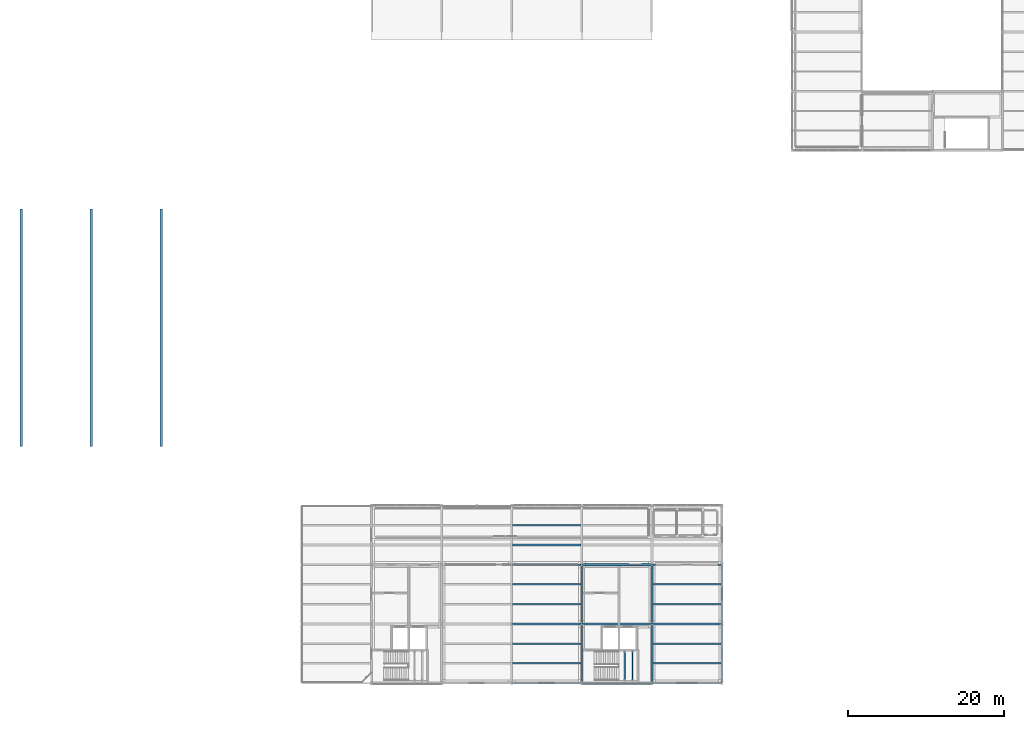
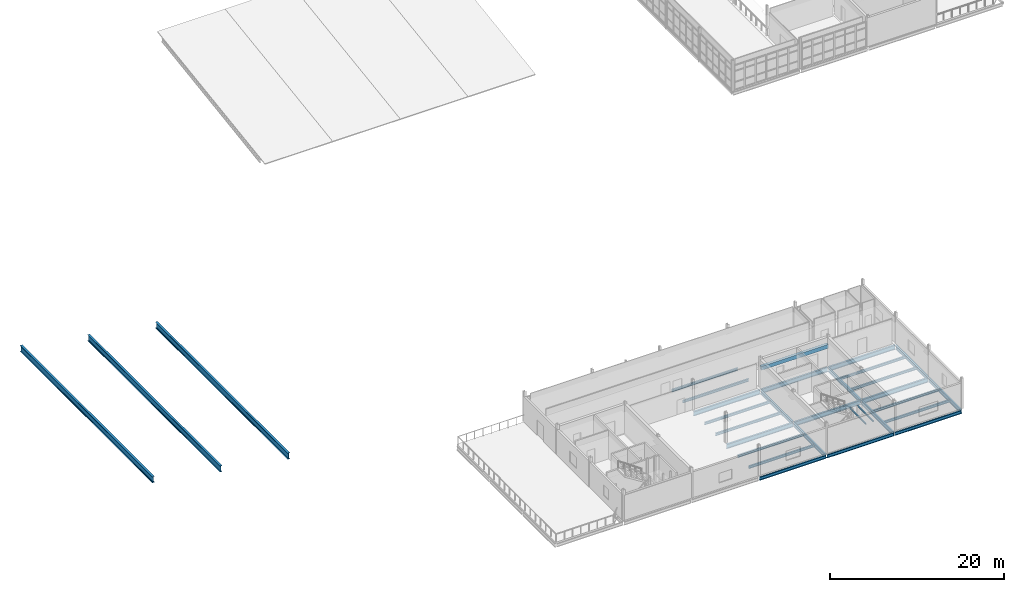
# One storey, part 9 of 48: 31 beams.
"""IFC4 building model written with IfcOpenShell, lengths in metres."""

from ifc_helpers import new_model, si_unit, direction, frame, origin, origin_2d, place, context, subcontext, project, spatial, rectangle, i_section, extrude, material, material_profile, profile_set, type_object, element, save


model = new_model("IFC4")

# Units and contexts
model_context = context("Model", 3, precision=1e-05, world=origin(), true_north=direction((0.0, 1.0)))
body_context = subcontext(model_context, "Body", "Model", "MODEL_VIEW")
ifc_project = project(units=[si_unit("LENGTHUNIT", "METRE"), si_unit("AREAUNIT", "SQUARE_METRE"), si_unit("VOLUMEUNIT", "CUBIC_METRE"), si_unit("PLANEANGLEUNIT", "RADIAN"), si_unit("MASSUNIT", "GRAM", prefix="KILO")], contexts=[model_context])

# Site, building, storey
site_placement = place(None, origin())
site = spatial("IfcSite", under=ifc_project, at=site_placement, CompositionType="ELEMENT")
building_placement = place(site_placement, origin())
building = spatial("IfcBuilding", under=site, at=building_placement, Name="Caisbarro Railhouse Central Library", CompositionType="ELEMENT")
storey_placement = place(building_placement, frame((0.0, 0.0, 18.0)))
storey = spatial("IfcBuildingStorey", under=building, at=storey_placement, Name="L04", CompositionType="ELEMENT", Elevation=18.0)

# Beams
ifc_material_1 = material(Name="Steel ASTM A572 Grade 50", Category="steel")
ifc_material_profile_1 = material_profile(ifc_material_1, i_section(OverallWidth=0.2939453125, OverallDepth=0.85107421875, WebThickness=0.01611328125, FlangeThickness=0.02685546875, FilletRadius=0.02392578125, at=origin_2d()), Name="W840X226.0")
ifc_profile_set_1 = profile_set([ifc_material_profile_1], Name="Steel ASTM A572 Grade 50")
beam_type_1 = type_object("IfcBeamType", Name="BM-G01", PredefinedType="BEAM", material=ifc_profile_set_1)
for number, where, z_axis, x_axis, name in (
    (1, (18.0, 30.35009765625, 3.031494140625), (0.0, 1.0, 0.0), (-1.0, 0.0, 0.0), "V1 Stepped Transverse Gridshell Girder X=18"),
    (2, (27.0, 30.35009765625, 1.381591796875), (0.0, 1.0, 0.0), (-1.0, 0.0, 0.0), "V1 Stepped Transverse Gridshell Girder X=27"),
    (3, (36.0, 30.35009765625, 0.031494140625), (0.0, 1.0, 0.0), (-1.0, 0.0, 0.0), "V1 Stepped Transverse Gridshell Girder X=36"),
):
    element("IfcBeam", number, at=place(storey_placement, frame(where, z_axis=z_axis, x_axis=x_axis)), inside=storey, type_object=beam_type_1, Name=name, PredefinedType="BEAM", context=body_context, shape_type="SweptSolid", body=[
        extrude(i_section(OverallWidth=0.2939453125, OverallDepth=0.85107421875, WebThickness=0.01611328125, FlangeThickness=0.02685546875, FilletRadius=0.02392578125, at=origin_2d()), origin(), (0.0, 0.0, 1.0), 30.5),
    ])
ifc_material_profile_2 = material_profile(ifc_material_1, i_section(OverallWidth=0.22998046875, OverallDepth=0.616943359375, WebThickness=0.01318359375, FlangeThickness=0.022216796875, FilletRadius=0.02197265625, at=origin_2d()), Name="W610X140.0")
ifc_profile_set_2 = profile_set([ifc_material_profile_2], Name="Steel ASTM A572 Grade 50")
beam_type_2 = type_object("IfcBeamType", Name="BM-G03", PredefinedType="BEAM", material=ifc_profile_set_2)
for number, where, z_axis, x_axis, name in (
    (4, (81.080078125, 7.60009765625, -0.58837890625), (1.0, 0.0, 0.0), (0.0, 1.0, 0.0), "G03 beam L04 #2022"),
    (5, (90.080078125, 7.60009765625, -0.58837890625), (1.0, 0.0, 0.0), (0.0, 1.0, 0.0), "G03 beam L04 #2023"),
    (6, (99.080078125, 7.60009765625, -0.58837890625), (1.0, 0.0, 0.0), (0.0, 1.0, 0.0), "G03 beam L04 #2024"),
    (7, (81.080078125, 15.199951171875, -0.58837890625), (1.0, 0.0, 0.0), (0.0, 1.0, 0.0), "G03 beam L04 #2027"),
    (8, (90.080078125, 15.199951171875, -0.58837890625), (1.0, 0.0, 0.0), (0.0, 1.0, 0.0), "G03 beam L04 #2028"),
    (9, (99.080078125, 15.199951171875, -0.58837890625), (1.0, 0.0, 0.0), (0.0, 1.0, 0.0), "G03 beam L04 #2029"),
):
    element("IfcBeam", number, at=place(storey_placement, frame(where, z_axis=z_axis, x_axis=x_axis)), inside=storey, type_object=beam_type_2, Name=name, PredefinedType="BEAM", context=body_context, shape_type="SweptSolid", body=[
        extrude(i_section(OverallWidth=0.22998046875, OverallDepth=0.616943359375, WebThickness=0.01318359375, FlangeThickness=0.022216796875, FilletRadius=0.02197265625, at=origin_2d()), origin(), (0.0, 0.0, 1.0), 8.83984375),
    ])
ifc_material_profile_3 = material_profile(ifc_material_1, i_section(OverallWidth=0.2119140625, OverallDepth=0.5439453125, WebThickness=0.01318359375, FlangeThickness=0.021240234375, FilletRadius=0.02001953125, at=origin_2d()), Name="W530X123.0")
ifc_profile_set_3 = profile_set([ifc_material_profile_3], Name="Steel ASTM A572 Grade 50")
beam_type_3 = type_object("IfcBeamType", Name="BM-G05", PredefinedType="BEAM", material=ifc_profile_set_3)
beam_1_placement = place(storey_placement, frame((90.0, 0.080078125, -0.552001953125), z_axis=(0.0, 1.0, 0.0), x_axis=(-1.0, 0.0, 0.0)))
element("IfcBeam", 10, at=beam_1_placement, inside=storey, type_object=beam_type_3, Name="G05 beam L04 #2044", PredefinedType="BEAM", context=body_context, shape_type="SweptSolid", body=[
    extrude(i_section(OverallWidth=0.2119140625, OverallDepth=0.5439453125, WebThickness=0.01318359375, FlangeThickness=0.021240234375, FilletRadius=0.02001953125, at=origin_2d()), origin(), (0.0, 0.0, 1.0), 7.43994140625),
])
beam_2_placement = place(storey_placement, frame((90.0, 7.679931640625, -0.552001953125), z_axis=(0.0, 1.0, 0.0), x_axis=(-1.0, 0.0, 0.0)))
element("IfcBeam", 11, at=beam_2_placement, inside=storey, type_object=beam_type_3, Name="G05 beam L04 #2045", PredefinedType="BEAM", context=body_context, shape_type="SweptSolid", body=[
    extrude(i_section(OverallWidth=0.2119140625, OverallDepth=0.5439453125, WebThickness=0.01318359375, FlangeThickness=0.021240234375, FilletRadius=0.02001953125, at=origin_2d()), origin(), (0.0, 0.0, 1.0), 7.440185546875),
])
beam_3_placement = place(storey_placement, frame((99.0, 0.080078125, -0.552001953125), z_axis=(0.0, 1.0, 0.0), x_axis=(-1.0, 0.0, 0.0)))
element("IfcBeam", 12, at=beam_3_placement, inside=storey, type_object=beam_type_3, Name="G05 beam L04 #2047", PredefinedType="BEAM", context=body_context, shape_type="SweptSolid", body=[
    extrude(i_section(OverallWidth=0.2119140625, OverallDepth=0.5439453125, WebThickness=0.01318359375, FlangeThickness=0.021240234375, FilletRadius=0.02001953125, at=origin_2d()), origin(), (0.0, 0.0, 1.0), 7.43994140625),
])
beam_4_placement = place(storey_placement, frame((99.0, 7.679931640625, -0.552001953125), z_axis=(0.0, 1.0, 0.0), x_axis=(-1.0, 0.0, 0.0)))
element("IfcBeam", 13, at=beam_4_placement, inside=storey, type_object=beam_type_3, Name="G05 beam L04 #2048", PredefinedType="BEAM", context=body_context, shape_type="SweptSolid", body=[
    extrude(i_section(OverallWidth=0.2119140625, OverallDepth=0.5439453125, WebThickness=0.01318359375, FlangeThickness=0.021240234375, FilletRadius=0.02001953125, at=origin_2d()), origin(), (0.0, 0.0, 1.0), 7.440185546875),
])
beam_5_placement = place(storey_placement, frame((108.0, 0.080078125, -0.552001953125), z_axis=(0.0, 1.0, 0.0), x_axis=(-1.0, 0.0, 0.0)))
element("IfcBeam", 14, at=beam_5_placement, inside=storey, type_object=beam_type_3, Name="G05 beam L04 #2050", PredefinedType="BEAM", context=body_context, shape_type="SweptSolid", body=[
    extrude(i_section(OverallWidth=0.2119140625, OverallDepth=0.5439453125, WebThickness=0.01318359375, FlangeThickness=0.021240234375, FilletRadius=0.02001953125, at=origin_2d()), origin(), (0.0, 0.0, 1.0), 7.43994140625),
])
beam_6_placement = place(storey_placement, frame((108.0, 7.679931640625, -0.552001953125), z_axis=(0.0, 1.0, 0.0), x_axis=(-1.0, 0.0, 0.0)))
element("IfcBeam", 15, at=beam_6_placement, inside=storey, type_object=beam_type_3, Name="G05 beam L04 #2051", PredefinedType="BEAM", context=body_context, shape_type="SweptSolid", body=[
    extrude(i_section(OverallWidth=0.2119140625, OverallDepth=0.5439453125, WebThickness=0.01318359375, FlangeThickness=0.021240234375, FilletRadius=0.02001953125, at=origin_2d()), origin(), (0.0, 0.0, 1.0), 7.440185546875),
])
ifc_material_profile_4 = material_profile(ifc_material_1, i_section(OverallWidth=0.202880859375, OverallDepth=0.346923828125, WebThickness=0.0078125, FlangeThickness=0.013427734375, FilletRadius=0.014892578125, at=origin_2d()), Name="W360X64.0")
ifc_profile_set_4 = profile_set([ifc_material_profile_4], Name="Steel ASTM A572 Grade 50")
beam_type_4 = type_object("IfcBeamType", Name="BM-J01", PredefinedType="JOIST", material=ifc_profile_set_4)
for number, where, z_axis, x_axis, name in (
    (16, (81.10595703125, 2.533203125, -0.45361328125), (1.0, 0.0, 0.0), (0.0, 1.0, 0.0), "J01 beam L04 #2061"),
    (17, (81.10595703125, 5.066650390625, -0.45361328125), (1.0, 0.0, 0.0), (0.0, 1.0, 0.0), "J01 beam L04 #2062"),
    (18, (81.10595703125, 10.13330078125, -0.45361328125), (1.0, 0.0, 0.0), (0.0, 1.0, 0.0), "J01 beam L04 #2063"),
    (19, (81.10595703125, 12.666748046875, -0.45361328125), (1.0, 0.0, 0.0), (0.0, 1.0, 0.0), "J01 beam L04 #2064"),
    (20, (81.10595703125, 17.7333984375, -0.45361328125), (1.0, 0.0, 0.0), (0.0, 1.0, 0.0), "J01 beam L04 #2065"),
    (21, (81.10595703125, 20.2666015625, -0.45361328125), (1.0, 0.0, 0.0), (0.0, 1.0, 0.0), "J01 beam L04 #2066"),
    (22, (99.10595703125, 2.533203125, -0.45361328125), (1.0, 0.0, 0.0), (0.0, 1.0, 0.0), "J01 beam L04 #2069"),
    (23, (99.10595703125, 5.066650390625, -0.45361328125), (1.0, 0.0, 0.0), (0.0, 1.0, 0.0), "J01 beam L04 #2070"),
    (24, (99.10595703125, 10.13330078125, -0.45361328125), (1.0, 0.0, 0.0), (0.0, 1.0, 0.0), "J01 beam L04 #2071"),
    (25, (99.10595703125, 12.666748046875, -0.45361328125), (1.0, 0.0, 0.0), (0.0, 1.0, 0.0), "J01 beam L04 #2072"),
):
    element("IfcBeam", number, at=place(storey_placement, frame(where, z_axis=z_axis, x_axis=x_axis)), inside=storey, type_object=beam_type_4, Name=name, PredefinedType="JOIST", context=body_context, shape_type="SweptSolid", body=[
        extrude(i_section(OverallWidth=0.202880859375, OverallDepth=0.346923828125, WebThickness=0.0078125, FlangeThickness=0.013427734375, FilletRadius=0.014892578125, at=origin_2d()), origin(), (0.0, 0.0, 1.0), 8.7880859375),
    ])
ifc_material_2 = material(Name="Concrete C40", Category="concrete")
ifc_material_profile_5 = material_profile(ifc_material_2, rectangle(XDim=0.35009765625, YDim=0.550048828125, at=origin_2d()), Name="RC-LIN-350X550")
ifc_profile_set_5 = profile_set([ifc_material_profile_5], Name="Concrete C40")
beam_type_5 = type_object("IfcBeamType", Name="BM-LN04", PredefinedType="LINTEL", material=ifc_profile_set_5)
beam_7_placement = place(storey_placement, frame((90.050048828125, 15.199951171875, 2.72509765625), z_axis=(1.0, 0.0, 0.0), x_axis=(0.0, 1.0, 0.0)))
element("IfcBeam", 26, at=beam_7_placement, inside=storey, type_object=beam_type_5, Name="LN04 RC core coupling lintel K2 L04", PredefinedType="LINTEL", context=body_context, shape_type="SweptSolid", body=[
    extrude(rectangle(XDim=0.35009765625, YDim=0.550048828125, at=origin_2d()), origin(), (0.0, 0.0, 1.0), 8.89990234375),
])
ifc_material_profile_6 = material_profile(ifc_material_1, i_section(OverallWidth=0.152099609375, OverallDepth=0.152099609375, WebThickness=0.005859375, FlangeThickness=0.006591796875, FilletRadius=0.008056640625, at=origin_2d()), Name="W150X22.5")
ifc_profile_set_6 = profile_set([ifc_material_profile_6], Name="Steel ASTM A572 Grade 50")
beam_type_6 = type_object("IfcBeamType", Name="BM-SL04", PredefinedType="BEAM", material=ifc_profile_set_6)
for number, where, z_axis, x_axis, name in (
    (27, (95.5, 0.3798828125, 1.89404296875), (0.0, 1.0, 0.0), (-1.0, 0.0, 0.0), "SL04 Stair Landing Support Beam K2 L04 W"),
    (28, (96.5, 0.3798828125, 1.89404296875), (0.0, 1.0, 0.0), (-1.0, 0.0, 0.0), "SL04 Stair Landing Support Beam K2 L04 E"),
):
    element("IfcBeam", number, at=place(storey_placement, frame(where, z_axis=z_axis, x_axis=x_axis)), inside=storey, type_object=beam_type_6, Name=name, PredefinedType="BEAM", context=body_context, shape_type="SweptSolid", body=[
        extrude(i_section(OverallWidth=0.152099609375, OverallDepth=0.152099609375, WebThickness=0.005859375, FlangeThickness=0.006591796875, FilletRadius=0.008056640625, at=origin_2d()), origin(), (0.0, 0.0, 1.0), 3.690185546875),
    ])
ifc_material_profile_7 = material_profile(ifc_material_1, i_section(OverallWidth=0.18994140625, OverallDepth=0.45703125, WebThickness=0.009033203125, FlangeThickness=0.014404296875, FilletRadius=0.01806640625, at=origin_2d()), Name="W460X74.0")
ifc_profile_set_7 = profile_set([ifc_material_profile_7], Name="Steel ASTM A572 Grade 50")
beam_type_7 = type_object("IfcBeamType", Name="BM-SP01", PredefinedType="SPANDREL", material=ifc_profile_set_7)
for number, where, z_axis, x_axis, name in (
    (29, (81.080078125, 0.0, -0.508544921875), (1.0, 0.0, 0.0), (0.0, 1.0, 0.0), "SP01 beam L04 #2017"),
    (30, (90.080078125, 0.0, -0.508544921875), (1.0, 0.0, 0.0), (0.0, 1.0, 0.0), "SP01 beam L04 #2018"),
    (31, (99.080078125, 0.0, -0.508544921875), (1.0, 0.0, 0.0), (0.0, 1.0, 0.0), "SP01 beam L04 #2019"),
):
    element("IfcBeam", number, at=place(storey_placement, frame(where, z_axis=z_axis, x_axis=x_axis)), inside=storey, type_object=beam_type_7, Name=name, PredefinedType="SPANDREL", context=body_context, shape_type="SweptSolid", body=[
        extrude(i_section(OverallWidth=0.18994140625, OverallDepth=0.45703125, WebThickness=0.009033203125, FlangeThickness=0.014404296875, FilletRadius=0.01806640625, at=origin_2d()), origin(), (0.0, 0.0, 1.0), 8.83984375),
    ])

save(model, "model.ifc")
